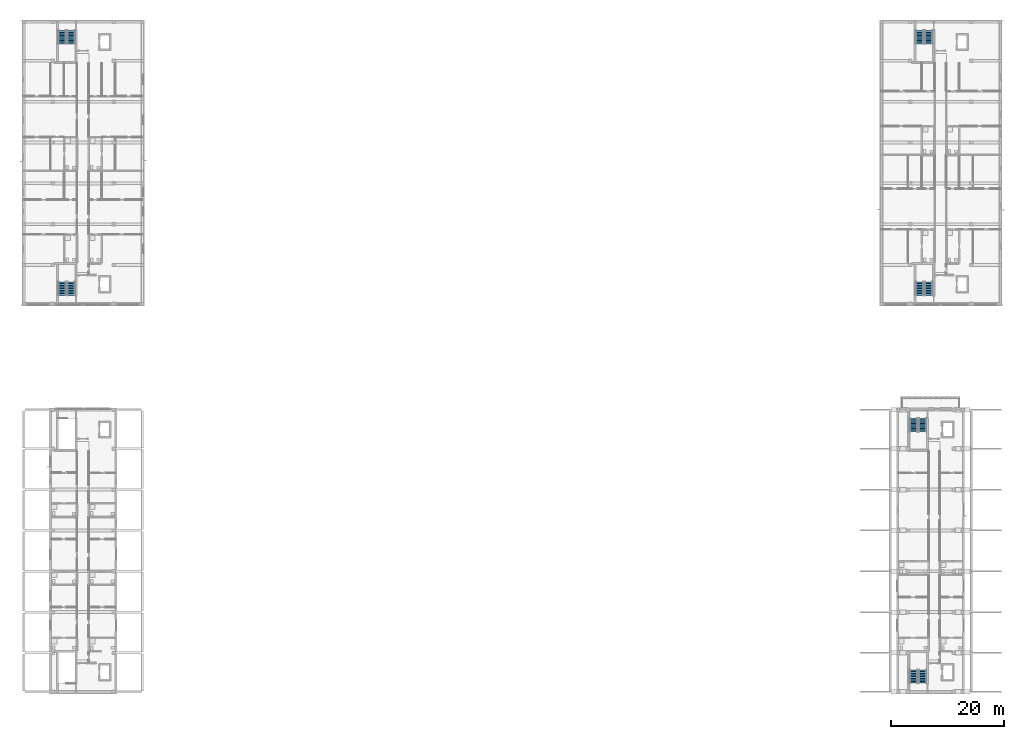
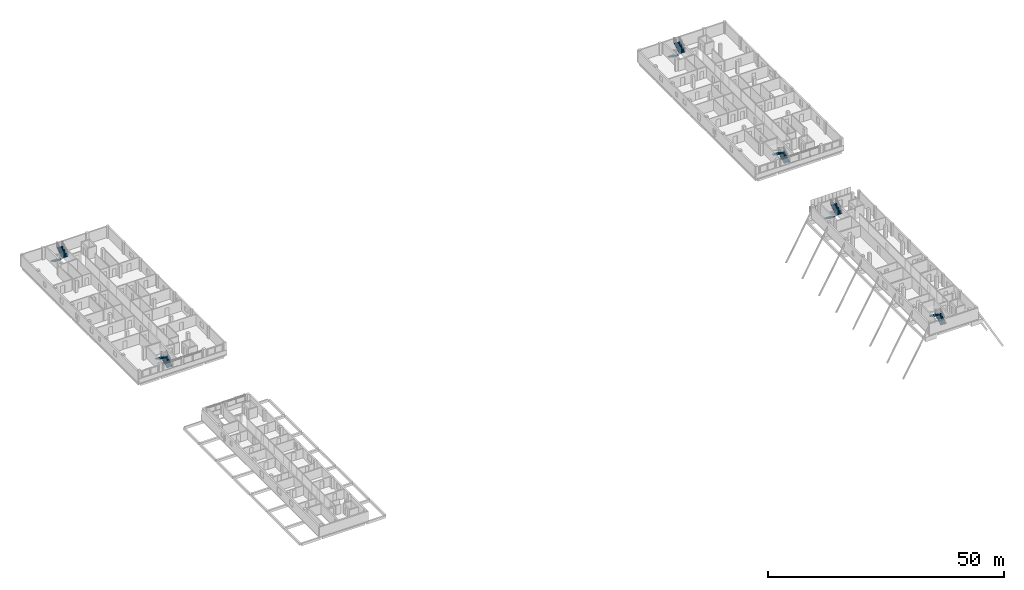
# One storey, part 22 of 34: 12 stair flights, 6 elements without a shape of their own.
"""IFC4 building model written with IfcOpenShell, lengths in metres."""

from ifc_helpers import new_model, si_unit, derived_unit, direction, frame, origin, place, context, subcontext, project, spatial, polyline, outline, extrude, material, type_object, element, aggregate, save


model = new_model("IFC4")

# Units and contexts
model_context = context("Model", 3, precision=1e-05, world=origin(), true_north=direction((0.0, 1.0)))
body_context = subcontext(model_context, "Body", "Model", "MODEL_VIEW")
ifc_project = project(units=[si_unit("LENGTHUNIT", "METRE"), si_unit("AREAUNIT", "SQUARE_METRE"), si_unit("VOLUMEUNIT", "CUBIC_METRE"), si_unit("PLANEANGLEUNIT", "RADIAN"), si_unit("MASSUNIT", "GRAM", prefix="KILO"), derived_unit("THERMALTRANSMITTANCEUNIT", [(si_unit("MASSUNIT", "GRAM", prefix="KILO"), 1), (si_unit("TIMEUNIT", "SECOND"), -3), (si_unit("THERMODYNAMICTEMPERATUREUNIT", "KELVIN"), -1)])], contexts=[model_context])

# Site, building, storey
site_placement = place(None, origin())
site = spatial("IfcSite", under=ifc_project, at=site_placement, CompositionType="ELEMENT")
building_placement = place(site_placement, origin())
building = spatial("IfcBuilding", under=site, at=building_placement, Name="Ochrekiln Boulevard Commons", CompositionType="ELEMENT")
storey_placement = place(building_placement, frame((0.0, 0.0, 27.824951171875)))
storey = spatial("IfcBuildingStorey", under=building, at=storey_placement, Name="L08", CompositionType="ELEMENT", Elevation=27.824951171875)

# Stair, stair flights
ifc_material = material(Name="Concrete C35/45", Category="concrete")
stair_type = type_object("IfcStairType", Name="STR-DL-315", PredefinedType="TWO_STRAIGHT_RUN_STAIR", material=ifc_material)
stair_1_placement = place(storey_placement, origin())
stair_1 = element("IfcStair", 1, at=stair_1_placement, inside=storey, type_object=stair_type, Name="L08 Enclosed Exit Stair ST-A1", PredefinedType="TWO_STRAIGHT_RUN_STAIR")
stair_flight_type = type_object("IfcStairFlightType", Name="SFL-ST-315", PredefinedType="STRAIGHT", material=ifc_material)
stair_flight_1_placement = place(storey_placement, frame((8.699951171875, 70.27001953125, 0.0), z_axis=(0.0, 0.0, 1.0), x_axis=(0.0, 1.0, 0.0)))
stair_flight_1 = element("IfcStairFlight", 2, at=stair_flight_1_placement, type_object=stair_flight_type, Name="ST-A1 flight 1", NumberOfRisers=9, NumberOfTreads=8, PredefinedType="STRAIGHT", RiserHeight=0.175, TreadLength=0.29, context=body_context, shape_type="SweptSolid", body=[
    extrude(outline(polyline([(0.0, 0.0), (0.0, 0.175048828125), (0.2900390625, 0.175048828125), (0.2900390625, 0.35009765625), (0.580078125, 0.35009765625), (0.580078125, 0.52490234375), (0.8701171875, 0.52490234375), (0.8701171875, 0.699951171875), (1.159912109375, 0.699951171875), (1.159912109375, 0.875), (1.449951171875, 0.875), (1.449951171875, 1.050048828125), (1.739990234375, 1.050048828125), (1.739990234375, 1.22509765625), (2.030029296875, 1.22509765625), (2.030029296875, 1.39990234375), (2.320068359375, 1.39990234375), (2.320068359375, 1.574951171875), (2.320068359375, 1.213134765625), (0.3095703125, 0.0), (0.0, 0.0)])), frame((0.0, 0.699951171875, 0.0), z_axis=(0.0, -1.0, 0.0), x_axis=(1.0, 0.0, 0.0)), (0.0, 0.0, 1.0), 1.39990234375),
])
stair_flight_2_placement = place(storey_placement, frame((7.10009765625, 72.590087890625, 1.574951171875), z_axis=(0.0, 0.0, 1.0), x_axis=(0.0, -1.0, 0.0)))
stair_flight_2 = element("IfcStairFlight", 3, at=stair_flight_2_placement, type_object=stair_flight_type, Name="ST-A1 flight 2", NumberOfRisers=9, NumberOfTreads=8, PredefinedType="STRAIGHT", RiserHeight=0.175, TreadLength=0.29, context=body_context, shape_type="SweptSolid", body=[
    extrude(outline(polyline([(0.0, 0.0), (0.0, 0.175048828125), (0.2900390625, 0.175048828125), (0.2900390625, 0.35009765625), (0.580078125, 0.35009765625), (0.580078125, 0.52490234375), (0.8701171875, 0.52490234375), (0.8701171875, 0.699951171875), (1.159912109375, 0.699951171875), (1.159912109375, 0.875), (1.449951171875, 0.875), (1.449951171875, 1.050048828125), (1.739990234375, 1.050048828125), (1.739990234375, 1.22509765625), (2.030029296875, 1.22509765625), (2.030029296875, 1.39990234375), (2.320068359375, 1.39990234375), (2.320068359375, 1.574951171875), (2.320068359375, 1.213134765625), (0.3095703125, 0.0), (0.0, 0.0)])), frame((0.0, 0.699951171875, 0.0), z_axis=(0.0, -1.0, 0.0), x_axis=(1.0, 0.0, 0.0)), (0.0, 0.0, 1.0), 1.39990234375),
])
aggregate(stair_1, [stair_flight_1, stair_flight_2])

stair_2_placement = place(storey_placement, origin())
stair_2 = element("IfcStair", 4, at=stair_2_placement, inside=storey, type_object=stair_type, Name="L08 Enclosed Exit Stair ST-A2", PredefinedType="TWO_STRAIGHT_RUN_STAIR")
stair_flight_3_placement = place(storey_placement, frame((7.10009765625, 116.929931640625, 0.0), z_axis=(0.0, 0.0, 1.0), x_axis=(0.0, -1.0, 0.0)))
stair_flight_3 = element("IfcStairFlight", 5, at=stair_flight_3_placement, type_object=stair_flight_type, Name="ST-A2 flight 1", NumberOfRisers=9, NumberOfTreads=8, PredefinedType="STRAIGHT", RiserHeight=0.175, TreadLength=0.29, context=body_context, shape_type="SweptSolid", body=[
    extrude(outline(polyline([(0.0, 0.0), (0.0, 0.175048828125), (0.2900390625, 0.175048828125), (0.2900390625, 0.35009765625), (0.580078125, 0.35009765625), (0.580078125, 0.52490234375), (0.8701171875, 0.52490234375), (0.8701171875, 0.699951171875), (1.159912109375, 0.699951171875), (1.159912109375, 0.875), (1.449951171875, 0.875), (1.449951171875, 1.050048828125), (1.739990234375, 1.050048828125), (1.739990234375, 1.22509765625), (2.030029296875, 1.22509765625), (2.030029296875, 1.39990234375), (2.320068359375, 1.39990234375), (2.320068359375, 1.574951171875), (2.320068359375, 1.213134765625), (0.3095703125, 0.0), (0.0, 0.0)])), frame((0.0, 0.699951171875, 0.0), z_axis=(0.0, -1.0, 0.0), x_axis=(1.0, 0.0, 0.0)), (0.0, 0.0, 1.0), 1.39990234375),
])
stair_flight_4_placement = place(storey_placement, frame((8.699951171875, 114.610107421875, 1.574951171875), z_axis=(0.0, 0.0, 1.0), x_axis=(0.0, 1.0, 0.0)))
stair_flight_4 = element("IfcStairFlight", 6, at=stair_flight_4_placement, type_object=stair_flight_type, Name="ST-A2 flight 2", NumberOfRisers=9, NumberOfTreads=8, PredefinedType="STRAIGHT", RiserHeight=0.175, TreadLength=0.29, context=body_context, shape_type="SweptSolid", body=[
    extrude(outline(polyline([(0.0, 0.0), (0.0, 0.175048828125), (0.2900390625, 0.175048828125), (0.2900390625, 0.35009765625), (0.580078125, 0.35009765625), (0.580078125, 0.52490234375), (0.8701171875, 0.52490234375), (0.8701171875, 0.699951171875), (1.159912109375, 0.699951171875), (1.159912109375, 0.875), (1.449951171875, 0.875), (1.449951171875, 1.050048828125), (1.739990234375, 1.050048828125), (1.739990234375, 1.22509765625), (2.030029296875, 1.22509765625), (2.030029296875, 1.39990234375), (2.320068359375, 1.39990234375), (2.320068359375, 1.574951171875), (2.320068359375, 1.213134765625), (0.3095703125, 0.0), (0.0, 0.0)])), frame((0.0, 0.699951171875, 0.0), z_axis=(0.0, -1.0, 0.0), x_axis=(1.0, 0.0, 0.0)), (0.0, 0.0, 1.0), 1.39990234375),
])
aggregate(stair_2, [stair_flight_3, stair_flight_4])

stair_3_placement = place(storey_placement, origin())
stair_3 = element("IfcStair", 7, at=stair_3_placement, inside=storey, type_object=stair_type, Name="L08 Enclosed Exit Stair ST-B1", PredefinedType="TWO_STRAIGHT_RUN_STAIR")
stair_flight_5_placement = place(storey_placement, frame((159.89990234375, 70.27001953125, 0.0), z_axis=(0.0, 0.0, 1.0), x_axis=(0.0, 1.0, 0.0)))
stair_flight_5 = element("IfcStairFlight", 8, at=stair_flight_5_placement, type_object=stair_flight_type, Name="ST-B1 flight 1", NumberOfRisers=9, NumberOfTreads=8, PredefinedType="STRAIGHT", RiserHeight=0.175, TreadLength=0.29, context=body_context, shape_type="SweptSolid", body=[
    extrude(outline(polyline([(0.0, 0.0), (0.0, 0.175048828125), (0.2900390625, 0.175048828125), (0.2900390625, 0.35009765625), (0.580078125, 0.35009765625), (0.580078125, 0.52490234375), (0.8701171875, 0.52490234375), (0.8701171875, 0.699951171875), (1.159912109375, 0.699951171875), (1.159912109375, 0.875), (1.449951171875, 0.875), (1.449951171875, 1.050048828125), (1.739990234375, 1.050048828125), (1.739990234375, 1.22509765625), (2.030029296875, 1.22509765625), (2.030029296875, 1.39990234375), (2.320068359375, 1.39990234375), (2.320068359375, 1.574951171875), (2.320068359375, 1.213134765625), (0.3095703125, 0.0), (0.0, 0.0)])), frame((0.0, 0.699951171875, 0.0), z_axis=(0.0, -1.0, 0.0), x_axis=(1.0, 0.0, 0.0)), (0.0, 0.0, 1.0), 1.39990234375),
])
stair_flight_6_placement = place(storey_placement, frame((158.300048828125, 72.590087890625, 1.574951171875), z_axis=(0.0, 0.0, 1.0), x_axis=(0.0, -1.0, 0.0)))
stair_flight_6 = element("IfcStairFlight", 9, at=stair_flight_6_placement, type_object=stair_flight_type, Name="ST-B1 flight 2", NumberOfRisers=9, NumberOfTreads=8, PredefinedType="STRAIGHT", RiserHeight=0.175, TreadLength=0.29, context=body_context, shape_type="SweptSolid", body=[
    extrude(outline(polyline([(0.0, 0.0), (0.0, 0.175048828125), (0.2900390625, 0.175048828125), (0.2900390625, 0.35009765625), (0.580078125, 0.35009765625), (0.580078125, 0.52490234375), (0.8701171875, 0.52490234375), (0.8701171875, 0.699951171875), (1.159912109375, 0.699951171875), (1.159912109375, 0.875), (1.449951171875, 0.875), (1.449951171875, 1.050048828125), (1.739990234375, 1.050048828125), (1.739990234375, 1.22509765625), (2.030029296875, 1.22509765625), (2.030029296875, 1.39990234375), (2.320068359375, 1.39990234375), (2.320068359375, 1.574951171875), (2.320068359375, 1.213134765625), (0.3095703125, 0.0), (0.0, 0.0)])), frame((0.0, 0.699951171875, 0.0), z_axis=(0.0, -1.0, 0.0), x_axis=(1.0, 0.0, 0.0)), (0.0, 0.0, 1.0), 1.39990234375),
])
aggregate(stair_3, [stair_flight_5, stair_flight_6])

stair_4_placement = place(storey_placement, origin())
stair_4 = element("IfcStair", 10, at=stair_4_placement, inside=storey, type_object=stair_type, Name="L08 Enclosed Exit Stair ST-B2", PredefinedType="TWO_STRAIGHT_RUN_STAIR")
stair_flight_7_placement = place(storey_placement, frame((158.300048828125, 116.929931640625, 0.0), z_axis=(0.0, 0.0, 1.0), x_axis=(0.0, -1.0, 0.0)))
stair_flight_7 = element("IfcStairFlight", 11, at=stair_flight_7_placement, type_object=stair_flight_type, Name="ST-B2 flight 1", NumberOfRisers=9, NumberOfTreads=8, PredefinedType="STRAIGHT", RiserHeight=0.175, TreadLength=0.29, context=body_context, shape_type="SweptSolid", body=[
    extrude(outline(polyline([(0.0, 0.0), (0.0, 0.175048828125), (0.2900390625, 0.175048828125), (0.2900390625, 0.35009765625), (0.580078125, 0.35009765625), (0.580078125, 0.52490234375), (0.8701171875, 0.52490234375), (0.8701171875, 0.699951171875), (1.159912109375, 0.699951171875), (1.159912109375, 0.875), (1.449951171875, 0.875), (1.449951171875, 1.050048828125), (1.739990234375, 1.050048828125), (1.739990234375, 1.22509765625), (2.030029296875, 1.22509765625), (2.030029296875, 1.39990234375), (2.320068359375, 1.39990234375), (2.320068359375, 1.574951171875), (2.320068359375, 1.213134765625), (0.3095703125, 0.0), (0.0, 0.0)])), frame((0.0, 0.699951171875, 0.0), z_axis=(0.0, -1.0, 0.0), x_axis=(1.0, 0.0, 0.0)), (0.0, 0.0, 1.0), 1.39990234375),
])
stair_flight_8_placement = place(storey_placement, frame((159.89990234375, 114.610107421875, 1.574951171875), z_axis=(0.0, 0.0, 1.0), x_axis=(0.0, 1.0, 0.0)))
stair_flight_8 = element("IfcStairFlight", 12, at=stair_flight_8_placement, type_object=stair_flight_type, Name="ST-B2 flight 2", NumberOfRisers=9, NumberOfTreads=8, PredefinedType="STRAIGHT", RiserHeight=0.175, TreadLength=0.29, context=body_context, shape_type="SweptSolid", body=[
    extrude(outline(polyline([(0.0, 0.0), (0.0, 0.175048828125), (0.2900390625, 0.175048828125), (0.2900390625, 0.35009765625), (0.580078125, 0.35009765625), (0.580078125, 0.52490234375), (0.8701171875, 0.52490234375), (0.8701171875, 0.699951171875), (1.159912109375, 0.699951171875), (1.159912109375, 0.875), (1.449951171875, 0.875), (1.449951171875, 1.050048828125), (1.739990234375, 1.050048828125), (1.739990234375, 1.22509765625), (2.030029296875, 1.22509765625), (2.030029296875, 1.39990234375), (2.320068359375, 1.39990234375), (2.320068359375, 1.574951171875), (2.320068359375, 1.213134765625), (0.3095703125, 0.0), (0.0, 0.0)])), frame((0.0, 0.699951171875, 0.0), z_axis=(0.0, -1.0, 0.0), x_axis=(1.0, 0.0, 0.0)), (0.0, 0.0, 1.0), 1.39990234375),
])
aggregate(stair_4, [stair_flight_7, stair_flight_8])

stair_5_placement = place(storey_placement, origin())
stair_5 = element("IfcStair", 13, at=stair_5_placement, inside=storey, type_object=stair_type, Name="L08 Enclosed Exit Stair ST-C1", PredefinedType="TWO_STRAIGHT_RUN_STAIR")
stair_flight_9_placement = place(storey_placement, frame((158.800048828125, 1.8701171875, 0.0), z_axis=(0.0, 0.0, 1.0), x_axis=(0.0, 1.0, 0.0)))
stair_flight_9 = element("IfcStairFlight", 14, at=stair_flight_9_placement, type_object=stair_flight_type, Name="ST-C1 flight 1", NumberOfRisers=9, NumberOfTreads=8, PredefinedType="STRAIGHT", RiserHeight=0.175, TreadLength=0.29, context=body_context, shape_type="SweptSolid", body=[
    extrude(outline(polyline([(0.0, 0.0), (0.0, 0.175048828125), (0.2900390625, 0.175048828125), (0.2900390625, 0.35009765625), (0.580078125, 0.35009765625), (0.580078125, 0.52490234375), (0.8701171875, 0.52490234375), (0.8701171875, 0.699951171875), (1.159912109375, 0.699951171875), (1.159912109375, 0.875), (1.449951171875, 0.875), (1.449951171875, 1.050048828125), (1.739990234375, 1.050048828125), (1.739990234375, 1.22509765625), (2.030029296875, 1.22509765625), (2.030029296875, 1.39990234375), (2.320068359375, 1.39990234375), (2.320068359375, 1.574951171875), (2.320068359375, 1.213134765625), (0.3095703125, 0.0), (0.0, 0.0)])), frame((0.0, 0.699951171875, 0.0), z_axis=(0.0, -1.0, 0.0), x_axis=(1.0, 0.0, 0.0)), (0.0, 0.0, 1.0), 1.39990234375),
])
stair_flight_10_placement = place(storey_placement, frame((157.199951171875, 4.18994140625, 1.574951171875), z_axis=(0.0, 0.0, 1.0), x_axis=(0.0, -1.0, 0.0)))
stair_flight_10 = element("IfcStairFlight", 15, at=stair_flight_10_placement, type_object=stair_flight_type, Name="ST-C1 flight 2", NumberOfRisers=9, NumberOfTreads=8, PredefinedType="STRAIGHT", RiserHeight=0.175, TreadLength=0.29, context=body_context, shape_type="SweptSolid", body=[
    extrude(outline(polyline([(0.0, 0.0), (0.0, 0.175048828125), (0.2900390625, 0.175048828125), (0.2900390625, 0.35009765625), (0.580078125, 0.35009765625), (0.580078125, 0.52490234375), (0.8701171875, 0.52490234375), (0.8701171875, 0.699951171875), (1.159912109375, 0.699951171875), (1.159912109375, 0.875), (1.449951171875, 0.875), (1.449951171875, 1.050048828125), (1.739990234375, 1.050048828125), (1.739990234375, 1.22509765625), (2.030029296875, 1.22509765625), (2.030029296875, 1.39990234375), (2.320068359375, 1.39990234375), (2.320068359375, 1.574951171875), (2.320068359375, 1.213134765625), (0.3095703125, 0.0), (0.0, 0.0)])), frame((0.0, 0.699951171875, 0.0), z_axis=(0.0, -1.0, 0.0), x_axis=(1.0, 0.0, 0.0)), (0.0, 0.0, 1.0), 1.39990234375),
])
aggregate(stair_5, [stair_flight_9, stair_flight_10])

stair_6_placement = place(storey_placement, origin())
stair_6 = element("IfcStair", 16, at=stair_6_placement, inside=storey, type_object=stair_type, Name="L08 Enclosed Exit Stair ST-C2", PredefinedType="TWO_STRAIGHT_RUN_STAIR")
stair_flight_11_placement = place(storey_placement, frame((157.199951171875, 48.530029296875, 0.0), z_axis=(0.0, 0.0, 1.0), x_axis=(0.0, -1.0, 0.0)))
stair_flight_11 = element("IfcStairFlight", 17, at=stair_flight_11_placement, type_object=stair_flight_type, Name="ST-C2 flight 1", NumberOfRisers=9, NumberOfTreads=8, PredefinedType="STRAIGHT", RiserHeight=0.175, TreadLength=0.29, context=body_context, shape_type="SweptSolid", body=[
    extrude(outline(polyline([(0.0, 0.0), (0.0, 0.175048828125), (0.2900390625, 0.175048828125), (0.2900390625, 0.35009765625), (0.580078125, 0.35009765625), (0.580078125, 0.52490234375), (0.8701171875, 0.52490234375), (0.8701171875, 0.699951171875), (1.159912109375, 0.699951171875), (1.159912109375, 0.875), (1.449951171875, 0.875), (1.449951171875, 1.050048828125), (1.739990234375, 1.050048828125), (1.739990234375, 1.22509765625), (2.030029296875, 1.22509765625), (2.030029296875, 1.39990234375), (2.320068359375, 1.39990234375), (2.320068359375, 1.574951171875), (2.320068359375, 1.213134765625), (0.3095703125, 0.0), (0.0, 0.0)])), frame((0.0, 0.699951171875, 0.0), z_axis=(0.0, -1.0, 0.0), x_axis=(1.0, 0.0, 0.0)), (0.0, 0.0, 1.0), 1.39990234375),
])
stair_flight_12_placement = place(storey_placement, frame((158.800048828125, 46.2099609375, 1.574951171875), z_axis=(0.0, 0.0, 1.0), x_axis=(0.0, 1.0, 0.0)))
stair_flight_12 = element("IfcStairFlight", 18, at=stair_flight_12_placement, type_object=stair_flight_type, Name="ST-C2 flight 2", NumberOfRisers=9, NumberOfTreads=8, PredefinedType="STRAIGHT", RiserHeight=0.175, TreadLength=0.29, context=body_context, shape_type="SweptSolid", body=[
    extrude(outline(polyline([(0.0, 0.0), (0.0, 0.175048828125), (0.2900390625, 0.175048828125), (0.2900390625, 0.35009765625), (0.580078125, 0.35009765625), (0.580078125, 0.52490234375), (0.8701171875, 0.52490234375), (0.8701171875, 0.699951171875), (1.159912109375, 0.699951171875), (1.159912109375, 0.875), (1.449951171875, 0.875), (1.449951171875, 1.050048828125), (1.739990234375, 1.050048828125), (1.739990234375, 1.22509765625), (2.030029296875, 1.22509765625), (2.030029296875, 1.39990234375), (2.320068359375, 1.39990234375), (2.320068359375, 1.574951171875), (2.320068359375, 1.213134765625), (0.3095703125, 0.0), (0.0, 0.0)])), frame((0.0, 0.699951171875, 0.0), z_axis=(0.0, -1.0, 0.0), x_axis=(1.0, 0.0, 0.0)), (0.0, 0.0, 1.0), 1.39990234375),
])
aggregate(stair_6, [stair_flight_11, stair_flight_12])

save(model, "model.ifc")
